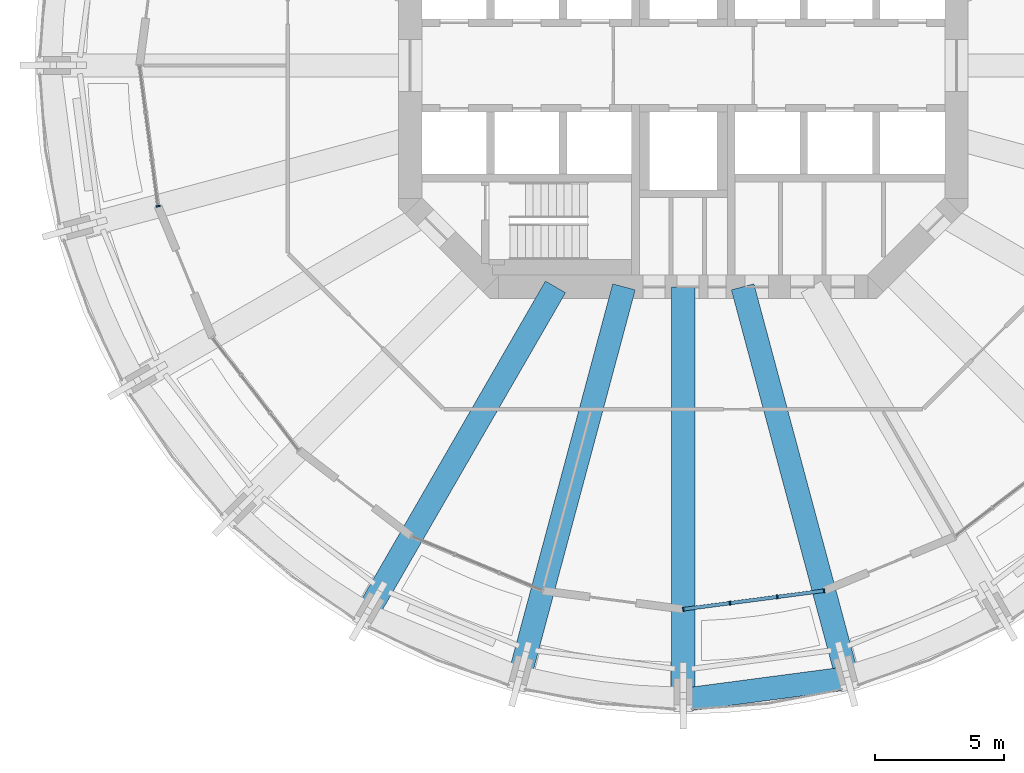
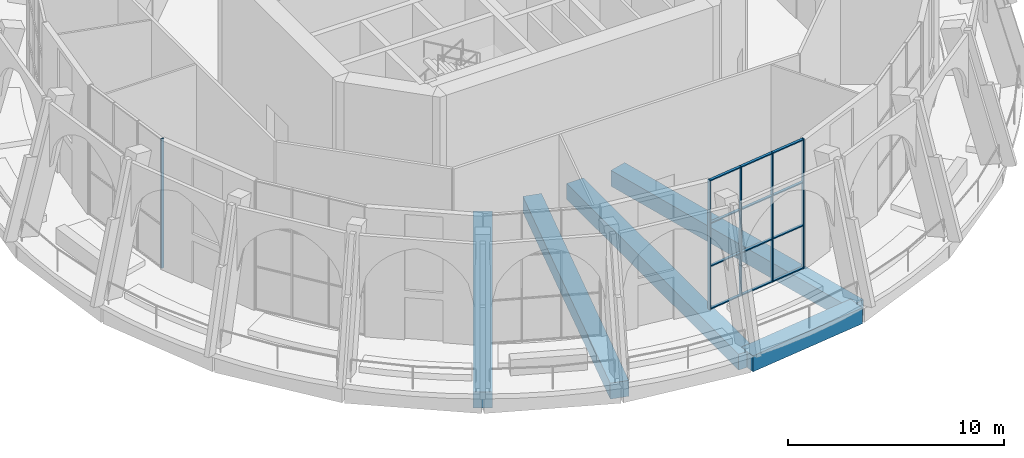
# One storey, part 3 of 18: 17 members, 5 beams, 2 elements without a shape of their own.
"""IFC4 building model written with IfcOpenShell, lengths in metres."""

import ifcopenshell
import ifcopenshell.guid

model = None  # the IFC model being written
_history = None  # IfcOwnerHistory: only IFC2X3 demands one
_inside = {}  # id of a spatial element -> (the spatial element, [elements in it])
_under = {}  # id of a project, library or spatial element -> (it, [spatial elements below it])
_declared = {}  # id of a project -> (the project, [libraries it declares])
_typed = {}  # id of a type object -> (the type object, [elements of that type])
_made_of = {}  # id of a material, layer set ... -> (it, [elements and type objects made of it])


def new_model(schema):
    """Start an empty IFC model of exactly this schema.

    Asked for "IFC4X3", IfcOpenShell would pick the latest addendum, in which some entities
    have other attributes; the version numbers below select the first issue.
    IFC2X3 requires an IfcOwnerHistory on every rooted entity: one is made here for all.
    """
    global model, _history
    if schema == "IFC4X3":
        model = ifcopenshell.file(schema_version=(4, 3, 0, 0))
    else:
        model = ifcopenshell.file(schema=schema)
    _inside.clear()
    _under.clear()
    _declared.clear()
    _typed.clear()
    _made_of.clear()
    _history = None
    if model.schema == "IFC2X3":
        org = make("IfcOrganization", Name="unknown")
        user = make(
            "IfcPersonAndOrganization",
            ThePerson=make("IfcPerson", FamilyName="unknown"),
            TheOrganization=org,
        )
        app = make(
            "IfcApplication",
            ApplicationDeveloper=org,
            Version="unknown",
            ApplicationFullName="unknown",
            ApplicationIdentifier="unknown",
        )
        _history = make(
            "IfcOwnerHistory",
            OwningUser=user,
            OwningApplication=app,
            ChangeAction="ADDED",
            CreationDate=0,
        )
    return model


def make(cls, **values):
    """One entity of the class cls with the attributes given. An attribute that is None is left unset."""
    return model.create_entity(
        cls, **{name: value for name, value in values.items() if value is not None}
    )


def rooted(cls, **values):
    """An entity with a GlobalId (a new one), such as an element, a storey or a relation."""
    return make(cls, GlobalId=ifcopenshell.guid.new(), OwnerHistory=_history, **values)


def si_unit(unit_type, name, prefix=None):
    """IfcSIUnit, for example si_unit("LENGTHUNIT", "METRE", prefix="MILLI")."""
    return make("IfcSIUnit", UnitType=unit_type, Prefix=prefix, Name=name)


def assignment(units):
    """IfcUnitAssignment: the units of a project."""
    return None if units is None else make("IfcUnitAssignment", Units=units)


def point(xyz):
    """IfcCartesianPoint."""
    return None if xyz is None else make("IfcCartesianPoint", Coordinates=xyz)


def direction(xyz):
    """IfcDirection."""
    return None if xyz is None else make("IfcDirection", DirectionRatios=xyz)


def frame(location, z_axis=None, x_axis=None):
    """IfcAxis2Placement3D, a coordinate frame: its origin and axes. An axis left out is left unset."""
    return make(
        "IfcAxis2Placement3D",
        Location=point(location),
        Axis=direction(z_axis),
        RefDirection=direction(x_axis),
    )


def frame_2d(location, x_axis=None):
    """IfcAxis2Placement2D, a coordinate frame in the plane: its origin and x axis."""
    return make(
        "IfcAxis2Placement2D", Location=point(location), RefDirection=direction(x_axis)
    )


def origin():
    """The frame at (0, 0, 0) with its axes left unset."""
    return frame((0.0, 0.0, 0.0))


def origin_2d():
    """The frame at (0, 0) in the plane with its x axis left unset."""
    return frame_2d((0.0, 0.0))


def place(relative_to, where):
    """IfcLocalPlacement: puts the frame where relative to a parent placement (None: the world)."""
    return make(
        "IfcLocalPlacement", PlacementRelTo=relative_to, RelativePlacement=where
    )


def context(
    kind, dimensions, precision=None, world=None, true_north=None, identifier=None
):
    """IfcGeometricRepresentationContext, for example the 3D "Model" context."""
    return make(
        "IfcGeometricRepresentationContext",
        ContextIdentifier=identifier,
        ContextType=kind,
        CoordinateSpaceDimension=dimensions,
        Precision=precision,
        WorldCoordinateSystem=world,
        TrueNorth=true_north,
    )


def subcontext(parent, identifier, kind, view, scale=None):
    """IfcGeometricRepresentationSubContext, for example "Body" below "Model"."""
    return make(
        "IfcGeometricRepresentationSubContext",
        ContextIdentifier=identifier,
        ContextType=kind,
        ParentContext=parent,
        TargetScale=scale,
        TargetView=view,
    )


def project(units=None, contexts=None):
    """IfcProject with its units and contexts."""
    return rooted(
        "IfcProject",
        Name="project",
        RepresentationContexts=contexts,
        UnitsInContext=assignment(units),
    )


def spatial(cls, under=None, at=None, **own):
    """A site, building, storey or space (cls), placed at a placement, below another one or the project."""
    s = rooted(cls, ObjectPlacement=at, **own)
    if under is not None:
        _under.setdefault(under.id(), (under, []))[1].append(s)
    return s


def profile(cls, at=None, kind="AREA", **sizes):
    """A parametric profile (cls). Its sizes go by their IFC names, for example OverallWidth=200.0."""
    return make(cls, ProfileType=kind, Position=at, **sizes)


def rectangle(**sizes):
    """IfcRectangleProfileDef."""
    return profile("IfcRectangleProfileDef", **sizes)


def extrude(swept, where, along, depth):
    """IfcExtrudedAreaSolid: the profile swept, set in the frame where, extruded along a direction by depth."""
    return make(
        "IfcExtrudedAreaSolid",
        SweptArea=swept,
        Position=where,
        ExtrudedDirection=direction(along),
        Depth=depth,
    )


def shape(context_of_items, identifier, shape_type, items):
    """IfcShapeRepresentation: the items that make up one representation, for example the "Body"."""
    return make(
        "IfcShapeRepresentation",
        ContextOfItems=context_of_items,
        RepresentationIdentifier=identifier,
        RepresentationType=shape_type,
        Items=items,
    )


def material(Name=None, Category=None):
    """IfcMaterial."""
    return make("IfcMaterial", Name=Name, Category=Category)


def material_profile(
    of_material, cross_section, Name=None, Category=None, Priority=None
):
    """IfcMaterialProfile: a cross section and its material."""
    return make(
        "IfcMaterialProfile",
        Name=Name,
        Material=of_material,
        Profile=cross_section,
        Priority=Priority,
        Category=Category,
    )


def profile_set(profiles, Name=None, composite=None):
    """IfcMaterialProfileSet."""
    return make(
        "IfcMaterialProfileSet",
        Name=Name,
        MaterialProfiles=profiles,
        CompositeProfile=composite,
    )


def made_of(thing, what):
    """Note that an element or type object is made of a material, layer set ...; save() writes the relation."""
    if what is not None:
        _made_of.setdefault(what.id(), (what, []))[1].append(thing)
    return thing


def type_object(cls, material=None, **own):
    """A type object (cls), such as IfcWallType, which elements share."""
    return made_of(rooted(cls, **own), material)


def element(
    cls,
    number,
    at=None,
    inside=None,
    cuts=None,
    type_object=None,
    material=None,
    context=None,
    identifier="Body",
    shape_type=None,
    held_by="IfcProductDefinitionShape",
    body=None,
    shapes=None,
    **own,
):
    """One element of the class cls, such as IfcWall. Its Tag is "e" and its number.

    at: its placement. inside: the storey or other place that contains it. cuts: it is an
    opening in that element (IfcRelVoidsElement). A single representation is given by context,
    identifier, shape_type and body (its items); several are given by shapes. held_by: the class
    of the entity that holds the representations. save() writes the other relations.
    """
    e = rooted(cls, Tag="e%d" % number, ObjectPlacement=at, **own)
    if body is not None:
        shapes = [shape(context, identifier, shape_type, body)]
    if shapes is not None:
        e.Representation = make(held_by, Representations=shapes)
    if inside is not None:
        _inside.setdefault(inside.id(), (inside, []))[1].append(e)
    if cuts is not None:
        rooted(
            "IfcRelVoidsElement", RelatingBuildingElement=cuts, RelatedOpeningElement=e
        )
    if type_object is not None:
        _typed.setdefault(type_object.id(), (type_object, []))[1].append(e)
    return made_of(e, material)


def aggregate(whole, parts):
    """IfcRelAggregates: a whole, such as a stair, and the parts it consists of."""
    return rooted("IfcRelAggregates", RelatingObject=whole, RelatedObjects=parts)


def save(model, path):
    """Write the relations noted so far, then the file.

    IfcRelAggregates (storeys below a building ...), IfcRelContainedInSpatialStructure (elements
    in a storey), IfcRelDefinesByType, IfcRelAssociatesMaterial and IfcRelDeclares: one each for
    every whole, place, type object, material and project.
    """
    for whole, parts in _under.values():
        aggregate(whole, parts)
    for where, things in _inside.values():
        rooted(
            "IfcRelContainedInSpatialStructure",
            RelatedElements=things,
            RelatingStructure=where,
        )
    for kind, things in _typed.values():
        rooted("IfcRelDefinesByType", RelatedObjects=things, RelatingType=kind)
    for what, things in _made_of.values():
        rooted("IfcRelAssociatesMaterial", RelatedObjects=things, RelatingMaterial=what)
    for by, libraries in _declared.values():
        rooted("IfcRelDeclares", RelatingContext=by, RelatedDefinitions=libraries)
    model.write(path)


model = new_model("IFC4")

# Units and contexts
model_context = context("Model", 3, precision=1e-05, world=origin(), true_north=direction((0.0, 1.0)))
body_context = subcontext(model_context, "Body", "Model", "MODEL_VIEW")
ifc_project = project(units=[si_unit("LENGTHUNIT", "METRE"), si_unit("AREAUNIT", "SQUARE_METRE"), si_unit("VOLUMEUNIT", "CUBIC_METRE"), si_unit("PLANEANGLEUNIT", "RADIAN"), si_unit("MASSUNIT", "GRAM", prefix="KILO")], contexts=[model_context])

# Site, building, storey
site_placement = place(None, origin())
site = spatial("IfcSite", under=ifc_project, at=site_placement, CompositionType="ELEMENT")
building_placement = place(site_placement, origin())
building = spatial("IfcBuilding", under=site, at=building_placement, Name="Torre Triforio", CompositionType="ELEMENT")
storey_placement = place(building_placement, frame((0.0, 0.0, 146.60009765625)))
storey = spatial("IfcBuildingStorey", under=building, at=storey_placement, Name="L33", CompositionType="ELEMENT", Elevation=146.60009765625)

# Curtain wall, member
ifc_material_1 = material(Name="Aluminium mullion and transom frame with clear laminated glass", Category="aluminium")
curtain_wall_type = type_object("IfcCurtainWallType", Name="Sky garden conservatory wall ECW3", PredefinedType="NOTDEFINED", material=ifc_material_1)
curtain_wall_1_placement = place(storey_placement, origin())
curtain_wall_1 = element("IfcCurtainWall", 1, at=curtain_wall_1_placement, inside=storey, type_object=curtain_wall_type, Name="Conservatory wall L33 bay 13", PredefinedType="NOTDEFINED")
ifc_material_2 = material(Name="Anodised aluminium extrusion", Category="aluminium")
ifc_material_profile_1 = material_profile(ifc_material_2, rectangle(XDim=0.159912109375, YDim=0.06005859375, at=origin_2d()), Name="ECW3 MULLION 60x160")
ifc_profile_set_1 = profile_set([ifc_material_profile_1], Name="Anodised aluminium extrusion")
member_type_1 = type_object("IfcMemberType", Name="ECW3 mullion 60 x 160", PredefinedType="MULLION", material=ifc_profile_set_1)
member_1_placement = place(storey_placement, frame((-20.284423828125, -5.43505859375, 0.0), z_axis=(0.0, 0.0, 1.0), x_axis=(0.991444343291, 0.130530127386, 0.0)))
member_1 = element("IfcMember", 2, at=member_1_placement, type_object=member_type_1, Name="ECW3 mullion 4", PredefinedType="MULLION", context=body_context, shape_type="SweptSolid", body=[
    extrude(rectangle(XDim=0.159912109375, YDim=0.06005859375, at=origin_2d()), origin(), (0.0, 0.0, 1.0), 7.31982421875),
])
aggregate(curtain_wall_1, [member_1])

# Curtain wall, members
curtain_wall_2_placement = place(storey_placement, origin())
curtain_wall_2 = element("IfcCurtainWall", 3, at=curtain_wall_2_placement, inside=storey, type_object=curtain_wall_type, Name="Conservatory wall L33 bay 19", PredefinedType="NOTDEFINED")
member_2_placement = place(storey_placement, frame((0.0, -21.0, 0.0), z_axis=(0.0, 0.0, 1.0), x_axis=(-0.130530127386, 0.991444343291, 0.0)))
member_2 = element("IfcMember", 4, at=member_2_placement, type_object=member_type_1, Name="ECW3 mullion 1", PredefinedType="MULLION", context=body_context, shape_type="SweptSolid", body=[
    extrude(rectangle(XDim=0.159912109375, YDim=0.06005859375, at=origin_2d()), origin(), (0.0, 0.0, 1.0), 7.31982421875),
])
member_3_placement = place(storey_placement, frame((1.8017578125, -20.7626953125, 0.0), z_axis=(0.0, 0.0, 1.0), x_axis=(-0.130530127386, 0.991444343291, 0.0)))
member_3 = element("IfcMember", 5, at=member_3_placement, type_object=member_type_1, Name="ECW3 mullion 2", PredefinedType="MULLION", context=body_context, shape_type="SweptSolid", body=[
    extrude(rectangle(XDim=0.159912109375, YDim=0.06005859375, at=origin_2d()), origin(), (0.0, 0.0, 1.0), 7.31982421875),
])
member_4_placement = place(storey_placement, frame((3.63330078125, -20.521728515625, 0.0), z_axis=(0.0, 0.0, 1.0), x_axis=(-0.130530127386, 0.991444343291, 0.0)))
member_4 = element("IfcMember", 6, at=member_4_placement, type_object=member_type_1, Name="ECW3 mullion 3", PredefinedType="MULLION", context=body_context, shape_type="SweptSolid", body=[
    extrude(rectangle(XDim=0.159912109375, YDim=0.06005859375, at=origin_2d()), origin(), (0.0, 0.0, 1.0), 7.31982421875),
])
member_5_placement = place(storey_placement, frame((5.43505859375, -20.284423828125, 0.0), z_axis=(0.0, 0.0, 1.0), x_axis=(-0.130530127386, 0.991444343291, 0.0)))
member_5 = element("IfcMember", 7, at=member_5_placement, type_object=member_type_1, Name="ECW3 mullion 4", PredefinedType="MULLION", context=body_context, shape_type="SweptSolid", body=[
    extrude(rectangle(XDim=0.159912109375, YDim=0.06005859375, at=origin_2d()), origin(), (0.0, 0.0, 1.0), 7.31982421875),
])
ifc_material_profile_2 = material_profile(ifc_material_2, rectangle(XDim=0.139892578125, YDim=0.06005859375, at=origin_2d()), Name="ECW3 TRANSOM 60x140")
ifc_profile_set_2 = profile_set([ifc_material_profile_2], Name="Anodised aluminium extrusion")
member_type_2 = type_object("IfcMemberType", Name="ECW3 transom 60 x 140", PredefinedType="USERDEFINED", material=ifc_profile_set_2)
member_6_placement = place(storey_placement, frame((0.02978515625, -20.99609375, 0.02978515625), z_axis=(0.991435369623, 0.130598268981, 0.0), x_axis=(-0.130598268981, 0.991435369623, 0.0)))
member_6 = element("IfcMember", 8, at=member_6_placement, type_object=member_type_2, Name="ECW3 transom 1.1", ObjectType="TRANSOM", PredefinedType="USERDEFINED", context=body_context, shape_type="SweptSolid", body=[
    extrude(rectangle(XDim=0.139892578125, YDim=0.06005859375, at=origin_2d()), origin(), (0.0, 0.0, 1.0), 1.75732421875),
])
member_7_placement = place(storey_placement, frame((0.02978515625, -20.99609375, 2.43994140625), z_axis=(0.991435369623, 0.130598268981, 0.0), x_axis=(-0.130598268981, 0.991435369623, 0.0)))
member_7 = element("IfcMember", 9, at=member_7_placement, type_object=member_type_2, Name="ECW3 transom 1.2", ObjectType="TRANSOM", PredefinedType="USERDEFINED", context=body_context, shape_type="SweptSolid", body=[
    extrude(rectangle(XDim=0.139892578125, YDim=0.06005859375, at=origin_2d()), origin(), (0.0, 0.0, 1.0), 1.75732421875),
])
member_8_placement = place(storey_placement, frame((0.02978515625, -20.99609375, 4.8798828125), z_axis=(0.991435369623, 0.130598268981, 0.0), x_axis=(-0.130598268981, 0.991435369623, 0.0)))
member_8 = element("IfcMember", 10, at=member_8_placement, type_object=member_type_2, Name="ECW3 transom 1.3", ObjectType="TRANSOM", PredefinedType="USERDEFINED", context=body_context, shape_type="SweptSolid", body=[
    extrude(rectangle(XDim=0.139892578125, YDim=0.06005859375, at=origin_2d()), origin(), (0.0, 0.0, 1.0), 1.75732421875),
])
member_9_placement = place(storey_placement, frame((0.02978515625, -20.99609375, 7.289794921875), z_axis=(0.991435369623, 0.130598268981, 0.0), x_axis=(-0.130598268981, 0.991435369623, 0.0)))
member_9 = element("IfcMember", 11, at=member_9_placement, type_object=member_type_2, Name="ECW3 transom 1.4", ObjectType="TRANSOM", PredefinedType="USERDEFINED", context=body_context, shape_type="SweptSolid", body=[
    extrude(rectangle(XDim=0.139892578125, YDim=0.06005859375, at=origin_2d()), origin(), (0.0, 0.0, 1.0), 1.75732421875),
])
member_10_placement = place(storey_placement, frame((1.83154296875, -20.7587890625, 0.02978515625), z_axis=(0.991454295543, 0.130454512571, 0.0), x_axis=(-0.130454512571, 0.991454295543, 0.0)))
member_10 = element("IfcMember", 12, at=member_10_placement, type_object=member_type_2, Name="ECW3 transom 2.1", ObjectType="TRANSOM", PredefinedType="USERDEFINED", context=body_context, shape_type="SweptSolid", body=[
    extrude(rectangle(XDim=0.139892578125, YDim=0.06005859375, at=origin_2d()), origin(), (0.0, 0.0, 1.0), 1.787353515625),
])
member_11_placement = place(storey_placement, frame((1.83154296875, -20.7587890625, 2.43994140625), z_axis=(0.991454295543, 0.130454512571, 0.0), x_axis=(-0.130454512571, 0.991454295543, 0.0)))
member_11 = element("IfcMember", 13, at=member_11_placement, type_object=member_type_2, Name="ECW3 transom 2.2", ObjectType="TRANSOM", PredefinedType="USERDEFINED", context=body_context, shape_type="SweptSolid", body=[
    extrude(rectangle(XDim=0.139892578125, YDim=0.06005859375, at=origin_2d()), origin(), (0.0, 0.0, 1.0), 1.787353515625),
])
member_12_placement = place(storey_placement, frame((1.83154296875, -20.7587890625, 4.8798828125), z_axis=(0.991454295543, 0.130454512571, 0.0), x_axis=(-0.130454512571, 0.991454295543, 0.0)))
member_12 = element("IfcMember", 14, at=member_12_placement, type_object=member_type_2, Name="ECW3 transom 2.3", ObjectType="TRANSOM", PredefinedType="USERDEFINED", context=body_context, shape_type="SweptSolid", body=[
    extrude(rectangle(XDim=0.139892578125, YDim=0.06005859375, at=origin_2d()), origin(), (0.0, 0.0, 1.0), 1.787353515625),
])
member_13_placement = place(storey_placement, frame((1.83154296875, -20.7587890625, 7.289794921875), z_axis=(0.991454295543, 0.130454512571, 0.0), x_axis=(-0.130454512571, 0.991454295543, 0.0)))
member_13 = element("IfcMember", 15, at=member_13_placement, type_object=member_type_2, Name="ECW3 transom 2.4", ObjectType="TRANSOM", PredefinedType="USERDEFINED", context=body_context, shape_type="SweptSolid", body=[
    extrude(rectangle(XDim=0.139892578125, YDim=0.06005859375, at=origin_2d()), origin(), (0.0, 0.0, 1.0), 1.787353515625),
])
member_14_placement = place(storey_placement, frame((3.6630859375, -20.517822265625, 0.02978515625), z_axis=(0.991437738784, 0.130580282255, 0.0), x_axis=(-0.130580282255, 0.991437738784, 0.0)))
member_14 = element("IfcMember", 16, at=member_14_placement, type_object=member_type_2, Name="ECW3 transom 3.1", ObjectType="TRANSOM", PredefinedType="USERDEFINED", context=body_context, shape_type="SweptSolid", body=[
    extrude(rectangle(XDim=0.139892578125, YDim=0.06005859375, at=origin_2d()), origin(), (0.0, 0.0, 1.0), 1.757568359375),
])
member_15_placement = place(storey_placement, frame((3.6630859375, -20.517822265625, 2.43994140625), z_axis=(0.991437738784, 0.130580282255, 0.0), x_axis=(-0.130580282255, 0.991437738784, 0.0)))
member_15 = element("IfcMember", 17, at=member_15_placement, type_object=member_type_2, Name="ECW3 transom 3.2", ObjectType="TRANSOM", PredefinedType="USERDEFINED", context=body_context, shape_type="SweptSolid", body=[
    extrude(rectangle(XDim=0.139892578125, YDim=0.06005859375, at=origin_2d()), origin(), (0.0, 0.0, 1.0), 1.757568359375),
])
member_16_placement = place(storey_placement, frame((3.6630859375, -20.517822265625, 4.8798828125), z_axis=(0.991437738784, 0.130580282255, 0.0), x_axis=(-0.130580282255, 0.991437738784, 0.0)))
member_16 = element("IfcMember", 18, at=member_16_placement, type_object=member_type_2, Name="ECW3 transom 3.3", ObjectType="TRANSOM", PredefinedType="USERDEFINED", context=body_context, shape_type="SweptSolid", body=[
    extrude(rectangle(XDim=0.139892578125, YDim=0.06005859375, at=origin_2d()), origin(), (0.0, 0.0, 1.0), 1.757568359375),
])
member_17_placement = place(storey_placement, frame((3.6630859375, -20.517822265625, 7.289794921875), z_axis=(0.991437738784, 0.130580282255, 0.0), x_axis=(-0.130580282255, 0.991437738784, 0.0)))
member_17 = element("IfcMember", 19, at=member_17_placement, type_object=member_type_2, Name="ECW3 transom 3.4", ObjectType="TRANSOM", PredefinedType="USERDEFINED", context=body_context, shape_type="SweptSolid", body=[
    extrude(rectangle(XDim=0.139892578125, YDim=0.06005859375, at=origin_2d()), origin(), (0.0, 0.0, 1.0), 1.757568359375),
])
aggregate(curtain_wall_2, [member_2, member_3, member_4, member_5, member_6, member_7, member_8, member_9, member_10, member_11, member_12, member_13, member_14, member_15, member_16, member_17])

# Beams
ifc_material_3 = material(Name="Concrete C50", Category="concrete")
ifc_material_profile_3 = material_profile(ifc_material_3, rectangle(XDim=0.89990234375, YDim=0.89990234375, at=origin_2d()), Name="RC 900x900")
ifc_profile_set_3 = profile_set([ifc_material_profile_3], Name="Concrete C50")
beam_type_1 = type_object("IfcBeamType", Name="Radial beam RC 900x900 C50", PredefinedType="BEAM", material=ifc_profile_set_3)
beam_1_placement = place(storey_placement, frame((-4.936279296875, -8.550048828125, -0.72998046875), z_axis=(-0.500007560092, -0.86602103892, 0.0), x_axis=(0.86602103892, -0.500007560092, 0.0)))
element("IfcBeam", 20, at=beam_1_placement, inside=storey, type_object=beam_type_1, Name="BM.R.L33.16", PredefinedType="BEAM", context=body_context, shape_type="SweptSolid", body=[
    extrude(rectangle(XDim=0.89990234375, YDim=0.89990234375, at=origin_2d()), origin(), (0.0, 0.0, 1.0), 14.627197265625),
])
beam_2_placement = place(storey_placement, frame((-2.291015625, -8.550048828125, -0.72998046875), z_axis=(-0.258815108997, -0.965926880957, 0.0), x_axis=(0.965926880957, -0.258815108997, 0.0)))
element("IfcBeam", 21, at=beam_2_placement, inside=storey, type_object=beam_type_1, Name="BM.R.L33.17", PredefinedType="BEAM", context=body_context, shape_type="SweptSolid", body=[
    extrude(rectangle(XDim=0.89990234375, YDim=0.89990234375, at=origin_2d()), origin(), (0.0, 0.0, 1.0), 15.6484375),
])
beam_3_placement = place(storey_placement, frame((0.0, -8.550048828125, -0.72998046875), z_axis=(0.0, -1.0, 0.0), x_axis=(1.0, 0.0, 0.0)))
element("IfcBeam", 22, at=beam_3_placement, inside=storey, type_object=beam_type_1, Name="BM.R.L33.18", PredefinedType="BEAM", context=body_context, shape_type="SweptSolid", body=[
    extrude(rectangle(XDim=0.89990234375, YDim=0.89990234375, at=origin_2d()), origin(), (0.0, 0.0, 1.0), 15.949951171875),
])
beam_4_placement = place(storey_placement, frame((2.291015625, -8.550048828125, -0.72998046875), z_axis=(0.258815108997, -0.965926880957, 0.0), x_axis=(0.965926880957, 0.258815108997, 0.0)))
element("IfcBeam", 23, at=beam_4_placement, inside=storey, type_object=beam_type_1, Name="BM.R.L33.19", PredefinedType="BEAM", context=body_context, shape_type="SweptSolid", body=[
    extrude(rectangle(XDim=0.89990234375, YDim=0.89990234375, at=origin_2d()), origin(), (0.0, 0.0, 1.0), 15.6484375),
])
ifc_material_profile_4 = material_profile(ifc_material_3, rectangle(XDim=0.89990234375, YDim=0.89990234375, at=origin_2d()), Name="RC 900x900")
ifc_profile_set_4 = profile_set([ifc_material_profile_4], Name="Concrete C50")
beam_type_2 = type_object("IfcBeamType", Name="Spandrel beam RC 900x900 C50", PredefinedType="SPANDREL", material=ifc_profile_set_4)
beam_5_placement = place(storey_placement, frame((0.0, -24.5, -0.72998046875), z_axis=(0.991446888172, 0.130510796237, 0.0), x_axis=(-0.130510796237, 0.991446888172, 0.0)))
element("IfcBeam", 24, at=beam_5_placement, inside=storey, type_object=beam_type_2, Name="BM.S.L33.18", PredefinedType="SPANDREL", context=body_context, shape_type="SweptSolid", body=[
    extrude(rectangle(XDim=0.89990234375, YDim=0.89990234375, at=origin_2d()), origin(), (0.0, 0.0, 1.0), 6.395751953125),
])

save(model, "model.ifc")
